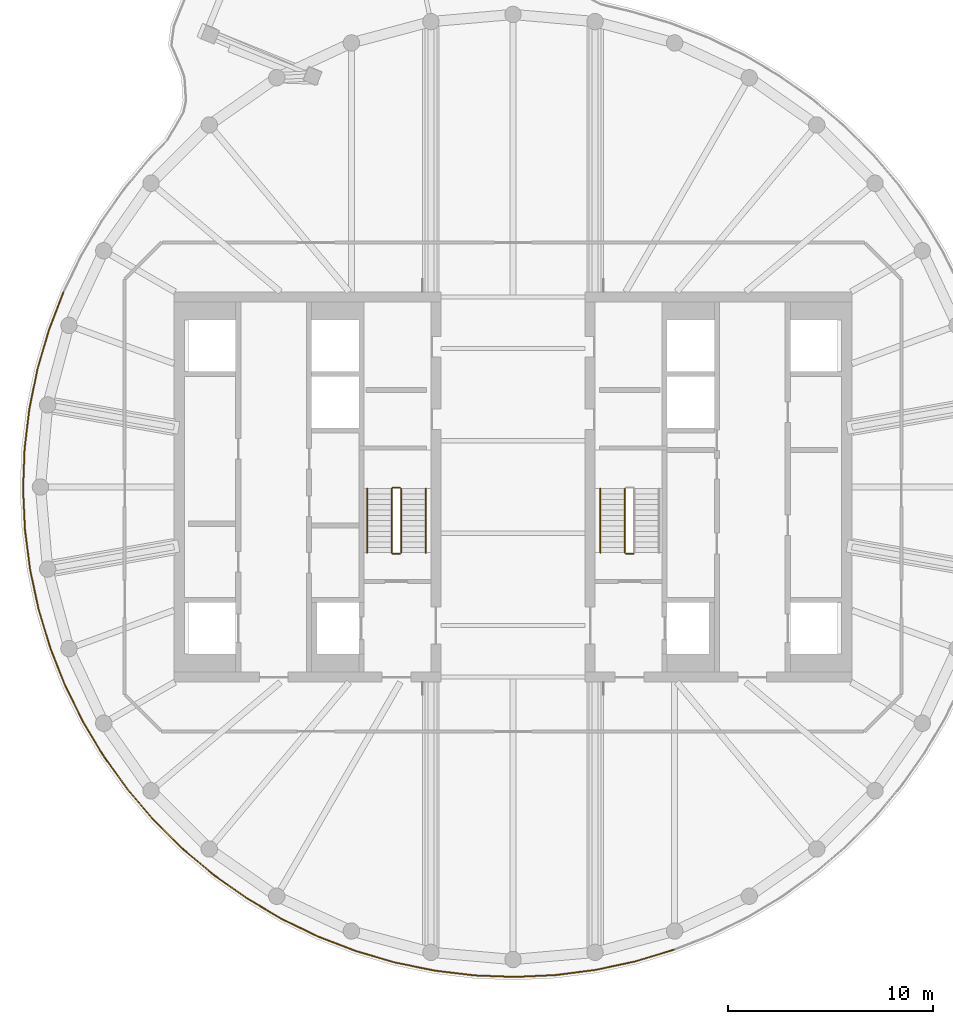
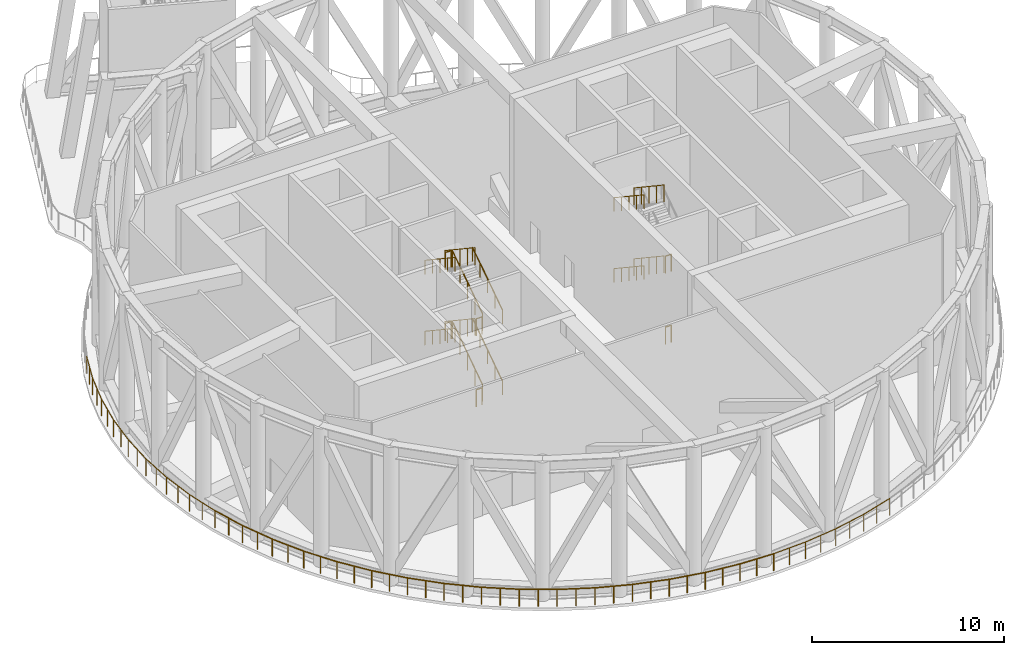
# One storey, part 7 of 10: 25 railings.
"""IFC4 building model written with IfcOpenShell, lengths in metres."""

from ifc_helpers import new_model, si_unit, direction, frame, origin, origin_2d, place, context, subcontext, project, spatial, circle, extrude, material, type_object, element, save


model = new_model("IFC4")

# Units and contexts
model_context = context("Model", 3, precision=1e-05, world=origin(), true_north=direction((0.0, 1.0)))
body_context = subcontext(model_context, "Body", "Model", "MODEL_VIEW")
ifc_project = project(units=[si_unit("LENGTHUNIT", "METRE"), si_unit("AREAUNIT", "SQUARE_METRE"), si_unit("VOLUMEUNIT", "CUBIC_METRE"), si_unit("PLANEANGLEUNIT", "RADIAN"), si_unit("MASSUNIT", "GRAM", prefix="KILO")], contexts=[model_context])

# Site, building, storey
site_placement = place(None, origin())
site = spatial("IfcSite", under=ifc_project, at=site_placement, CompositionType="ELEMENT")
building_placement = place(site_placement, origin())
building = spatial("IfcBuilding", under=site, at=building_placement, Name="Tamarind Cross Interchange Tower", CompositionType="ELEMENT")
storey_placement = place(building_placement, frame((0.0, 0.0, 278.39990234375)))
storey = spatial("IfcBuildingStorey", under=building, at=storey_placement, Name="L71", CompositionType="ELEMENT", Elevation=278.39990234375)

# Railings
ifc_material_1 = material(Name="Stainless steel and laminated glass", Category="steel")
railing_type_1 = type_object("IfcRailingType", Name="Balcony guard", PredefinedType="BALUSTRADE", material=ifc_material_1)
railing_1_placement = place(storey_placement, frame((-21.87841796875, 9.484619140625, 0.0)))
element("IfcRailing", 1, at=railing_1_placement, inside=storey, type_object=railing_type_1, Name="Portal guard 01-02", PredefinedType="BALUSTRADE", context=body_context, shape_type="SweptSolid", body=[
    extrude(circle(Radius=0.02490234375, at=origin_2d()), frame((0.0, 0.0, 1.0751953125), z_axis=(-0.359485381692, -0.933150716846, 0.0), x_axis=(0.933150716846, -0.359485381692, 0.0)), (0.0, 0.0, 1.0), 1.970947265625),
    extrude(circle(Radius=0.02490234375, at=origin_2d()), frame((-0.70849609375, -1.839111328125, 1.0751953125), z_axis=(-0.28119372955, -0.959651023269, 0.0), x_axis=(0.959651023269, -0.28119372955, 0.0)), (0.0, 0.0, 1.0), 1.970947265625),
    extrude(circle(Radius=0.02490234375, at=origin_2d()), frame((-1.2626953125, -3.73046875, 1.0751953125), z_axis=(-0.201069123681, -0.979577055418, 0.0), x_axis=(0.979577055418, -0.201069123681, 0.0)), (0.0, 0.0, 1.0), 1.970703125),
    extrude(circle(Radius=0.02490234375, at=origin_2d()), frame((-1.658935546875, -5.660888671875, 1.0751953125), z_axis=(-0.119413868936, -0.992844563819, 0.0), x_axis=(0.992844563819, -0.119413868936, 0.0)), (0.0, 0.0, 1.0), 1.970947265625),
    extrude(circle(Radius=0.02001953125, at=origin_2d()), origin(), (0.0, 0.0, 1.0), 1.050048828125),
    extrude(circle(Radius=0.02001953125, at=origin_2d()), frame((-0.354248046875, -0.91943359375, 0.0)), (0.0, 0.0, 1.0), 1.050048828125),
    extrude(circle(Radius=0.02001953125, at=origin_2d()), frame((-0.70849609375, -1.839111328125, 0.0)), (0.0, 0.0, 1.0), 1.050048828125),
    extrude(circle(Radius=0.02001953125, at=origin_2d()), frame((-0.985595703125, -2.78466796875, 0.0)), (0.0, 0.0, 1.0), 1.050048828125),
    extrude(circle(Radius=0.02001953125, at=origin_2d()), frame((-1.2626953125, -3.73046875, 0.0)), (0.0, 0.0, 1.0), 1.050048828125),
    extrude(circle(Radius=0.02001953125, at=origin_2d()), frame((-1.4609375, -4.69580078125, 0.0)), (0.0, 0.0, 1.0), 1.050048828125),
    extrude(circle(Radius=0.02001953125, at=origin_2d()), frame((-1.658935546875, -5.660888671875, 0.0)), (0.0, 0.0, 1.0), 1.050048828125),
    extrude(circle(Radius=0.02001953125, at=origin_2d()), frame((-1.776611328125, -6.63916015625, 0.0)), (0.0, 0.0, 1.0), 1.050048828125),
    extrude(circle(Radius=0.02001953125, at=origin_2d()), frame((-1.894287109375, -7.61767578125, 0.0)), (0.0, 0.0, 1.0), 1.050048828125),
])
railing_2_placement = place(storey_placement, frame((-23.772705078125, 1.866943359375, 0.0)))
element("IfcRailing", 2, at=railing_2_placement, inside=storey, type_object=railing_type_1, Name="Portal guard 01-03", PredefinedType="BALUSTRADE", context=body_context, shape_type="SweptSolid", body=[
    extrude(circle(Radius=0.02490234375, at=origin_2d()), frame((0.0, 0.0, 1.0751953125), z_axis=(-0.037039150955, -0.999313815224, 0.0), x_axis=(0.999313815224, -0.037039150955, 0.0)), (0.0, 0.0, 1.0), 1.970947265625),
    extrude(circle(Radius=0.02490234375, at=origin_2d()), frame((-0.072998046875, -1.969482421875, 1.0751953125), z_axis=(0.045705440836, -0.998954960285, 0.0), x_axis=(0.998954960285, 0.045705440836, 0.0)), (0.0, 0.0, 1.0), 1.970947265625),
    extrude(circle(Radius=0.02490234375, at=origin_2d()), frame((0.01708984375, -3.9384765625, 1.0751953125), z_axis=(0.127967406963, -0.991778373809, 0.0), x_axis=(0.991778373809, 0.127967406963, 0.0)), (0.0, 0.0, 1.0), 1.970703125),
    extrude(circle(Radius=0.02490234375, at=origin_2d()), frame((0.269287109375, -5.89306640625, 1.0751953125), z_axis=(0.209368335496, -0.977836847379, 0.0), x_axis=(0.977836847379, 0.209368335496, 0.0)), (0.0, 0.0, 1.0), 1.970703125),
    extrude(circle(Radius=0.02001953125, at=origin_2d()), origin(), (0.0, 0.0, 1.0), 1.050048828125),
    extrude(circle(Radius=0.02001953125, at=origin_2d()), frame((-0.03662109375, -0.98486328125, 0.0)), (0.0, 0.0, 1.0), 1.050048828125),
    extrude(circle(Radius=0.02001953125, at=origin_2d()), frame((-0.072998046875, -1.969482421875, 0.0)), (0.0, 0.0, 1.0), 1.050048828125),
    extrude(circle(Radius=0.02001953125, at=origin_2d()), frame((-0.02783203125, -2.9541015625, 0.0)), (0.0, 0.0, 1.0), 1.050048828125),
    extrude(circle(Radius=0.02001953125, at=origin_2d()), frame((0.01708984375, -3.9384765625, 0.0)), (0.0, 0.0, 1.0), 1.050048828125),
    extrude(circle(Radius=0.02001953125, at=origin_2d()), frame((0.14306640625, -4.915771484375, 0.0)), (0.0, 0.0, 1.0), 1.050048828125),
    extrude(circle(Radius=0.02001953125, at=origin_2d()), frame((0.269287109375, -5.89306640625, 0.0)), (0.0, 0.0, 1.0), 1.050048828125),
    extrude(circle(Radius=0.02001953125, at=origin_2d()), frame((0.4755859375, -6.8564453125, 0.0)), (0.0, 0.0, 1.0), 1.050048828125),
    extrude(circle(Radius=0.02001953125, at=origin_2d()), frame((0.681884765625, -7.820068359375, 0.0)), (0.0, 0.0, 1.0), 1.050048828125),
])
railing_3_placement = place(storey_placement, frame((-23.0908203125, -5.953125, 0.0)))
element("IfcRailing", 3, at=railing_3_placement, inside=storey, type_object=railing_type_1, Name="Portal guard 01-04", PredefinedType="BALUSTRADE", context=body_context, shape_type="SweptSolid", body=[
    extrude(circle(Radius=0.02490234375, at=origin_2d()), frame((0.0, 0.0, 1.0751953125), z_axis=(0.289495081486, -0.957179501345, 0.0), x_axis=(0.957179501345, 0.289495081486, 0.0)), (0.0, 0.0, 1.0), 1.970947265625),
    extrude(circle(Radius=0.02490234375, at=origin_2d()), frame((0.570556640625, -1.886474609375, 1.0751953125), z_axis=(0.367521863766, -0.930014881415, 0.0), x_axis=(0.930014881415, 0.367521863766, 0.0)), (0.0, 0.0, 1.0), 1.970947265625),
    extrude(circle(Radius=0.02490234375, at=origin_2d()), frame((1.294921875, -3.719482421875, 1.0751953125), z_axis=(0.442996699575, -0.896523242401, 0.0), x_axis=(0.896523242401, 0.442996699575, 0.0)), (0.0, 0.0, 1.0), 1.970703125),
    extrude(circle(Radius=0.02490234375, at=origin_2d()), frame((2.16796875, -5.486328125, 1.0751953125), z_axis=(0.515661093256, -0.85679264522, 0.0), x_axis=(0.85679264522, 0.515661093256, 0.0)), (0.0, 0.0, 1.0), 1.970947265625),
    extrude(circle(Radius=0.02001953125, at=origin_2d()), origin(), (0.0, 0.0, 1.0), 1.050048828125),
    extrude(circle(Radius=0.02001953125, at=origin_2d()), frame((0.28515625, -0.943359375, 0.0)), (0.0, 0.0, 1.0), 1.050048828125),
    extrude(circle(Radius=0.02001953125, at=origin_2d()), frame((0.570556640625, -1.886474609375, 0.0)), (0.0, 0.0, 1.0), 1.050048828125),
    extrude(circle(Radius=0.02001953125, at=origin_2d()), frame((0.9326171875, -2.802978515625, 0.0)), (0.0, 0.0, 1.0), 1.050048828125),
    extrude(circle(Radius=0.02001953125, at=origin_2d()), frame((1.294921875, -3.719482421875, 0.0)), (0.0, 0.0, 1.0), 1.050048828125),
    extrude(circle(Radius=0.02001953125, at=origin_2d()), frame((1.7314453125, -4.60302734375, 0.0)), (0.0, 0.0, 1.0), 1.050048828125),
    extrude(circle(Radius=0.02001953125, at=origin_2d()), frame((2.16796875, -5.486328125, 0.0)), (0.0, 0.0, 1.0), 1.050048828125),
    extrude(circle(Radius=0.02001953125, at=origin_2d()), frame((2.67626953125, -6.33056640625, 0.0)), (0.0, 0.0, 1.0), 1.050048828125),
    extrude(circle(Radius=0.02001953125, at=origin_2d()), frame((3.184326171875, -7.175048828125, 0.0)), (0.0, 0.0, 1.0), 1.050048828125),
])
railing_4_placement = place(storey_placement, frame((-19.906494140625, -13.128173828125, 0.0)))
element("IfcRailing", 4, at=railing_4_placement, inside=storey, type_object=railing_type_1, Name="Portal guard 01-05", PredefinedType="BALUSTRADE", context=body_context, shape_type="SweptSolid", body=[
    extrude(circle(Radius=0.02490234375, at=origin_2d()), frame((0.0, 0.0, 1.0751953125), z_axis=(0.584549440049, -0.811358091189, 0.0), x_axis=(0.811358091189, 0.584549440049, 0.0)), (0.0, 0.0, 1.0), 1.970947265625),
    extrude(circle(Radius=0.02490234375, at=origin_2d()), frame((1.152099609375, -1.59912109375, 1.0751953125), z_axis=(0.649555984411, -0.760313766228, 0.0), x_axis=(0.760313766228, 0.649555984411, 0.0)), (0.0, 0.0, 1.0), 1.970703125),
    extrude(circle(Radius=0.02490234375, at=origin_2d()), frame((2.43212890625, -3.097412109375, 1.0751953125), z_axis=(0.710135033947, -0.704065503743, 0.0), x_axis=(0.704065503743, 0.710135033947, 0.0)), (0.0, 0.0, 1.0), 1.970947265625),
    extrude(circle(Radius=0.02490234375, at=origin_2d()), frame((3.831787109375, -4.485107421875, 1.0751953125), z_axis=(0.765870770203, -0.642994528242, 0.0), x_axis=(0.642994528242, 0.765870770203, 0.0)), (0.0, 0.0, 1.0), 1.970947265625),
    extrude(circle(Radius=0.02001953125, at=origin_2d()), origin(), (0.0, 0.0, 1.0), 1.050048828125),
    extrude(circle(Radius=0.02001953125, at=origin_2d()), frame((0.576171875, -0.799560546875, 0.0)), (0.0, 0.0, 1.0), 1.050048828125),
    extrude(circle(Radius=0.02001953125, at=origin_2d()), frame((1.152099609375, -1.59912109375, 0.0)), (0.0, 0.0, 1.0), 1.050048828125),
    extrude(circle(Radius=0.02001953125, at=origin_2d()), frame((1.7919921875, -2.34814453125, 0.0)), (0.0, 0.0, 1.0), 1.050048828125),
    extrude(circle(Radius=0.02001953125, at=origin_2d()), frame((2.43212890625, -3.097412109375, 0.0)), (0.0, 0.0, 1.0), 1.050048828125),
    extrude(circle(Radius=0.02001953125, at=origin_2d()), frame((3.1318359375, -3.791259765625, 0.0)), (0.0, 0.0, 1.0), 1.050048828125),
    extrude(circle(Radius=0.02001953125, at=origin_2d()), frame((3.831787109375, -4.485107421875, 0.0)), (0.0, 0.0, 1.0), 1.050048828125),
    extrude(circle(Radius=0.02001953125, at=origin_2d()), frame((4.58642578125, -5.11865234375, 0.0)), (0.0, 0.0, 1.0), 1.050048828125),
    extrude(circle(Radius=0.02001953125, at=origin_2d()), frame((5.34130859375, -5.75244140625, 0.0)), (0.0, 0.0, 1.0), 1.050048828125),
])
railing_5_placement = place(storey_placement, frame((-14.565185546875, -18.880615234375, 0.0)))
element("IfcRailing", 5, at=railing_5_placement, inside=storey, type_object=railing_type_1, Name="Portal guard 01-06", PredefinedType="BALUSTRADE", context=body_context, shape_type="SweptSolid", body=[
    extrude(circle(Radius=0.02490234375, at=origin_2d()), frame((0.0, 0.0, 1.0751953125), z_axis=(0.816370053791, -0.577529164002, 0.0), x_axis=(0.577529164002, 0.816370053791, 0.0)), (0.0, 0.0, 1.0), 1.970703125),
    extrude(circle(Radius=0.02490234375, at=origin_2d()), frame((1.60888671875, -1.13818359375, 1.0751953125), z_axis=(0.861197684667, -0.508270152501, 0.0), x_axis=(0.508270152501, 0.861197684667, 0.0)), (0.0, 0.0, 1.0), 1.970703125),
    extrude(circle(Radius=0.02490234375, at=origin_2d()), frame((3.30615234375, -2.139892578125, 1.0751953125), z_axis=(0.900293941489, -0.435282458777, 0.0), x_axis=(0.435282458777, 0.900293941489, 0.0)), (0.0, 0.0, 1.0), 1.970947265625),
    extrude(circle(Radius=0.02490234375, at=origin_2d()), frame((5.08056640625, -2.997802734375, 1.0751953125), z_axis=(0.933150716846, -0.359485381692, 0.0), x_axis=(0.359485381692, 0.933150716846, 0.0)), (0.0, 0.0, 1.0), 1.970947265625),
    extrude(circle(Radius=0.02001953125, at=origin_2d()), origin(), (0.0, 0.0, 1.0), 1.050048828125),
    extrude(circle(Radius=0.02001953125, at=origin_2d()), frame((0.804443359375, -0.569091796875, 0.0)), (0.0, 0.0, 1.0), 1.050048828125),
    extrude(circle(Radius=0.02001953125, at=origin_2d()), frame((1.60888671875, -1.13818359375, 0.0)), (0.0, 0.0, 1.0), 1.050048828125),
    extrude(circle(Radius=0.02001953125, at=origin_2d()), frame((2.45751953125, -1.63916015625, 0.0)), (0.0, 0.0, 1.0), 1.050048828125),
    extrude(circle(Radius=0.02001953125, at=origin_2d()), frame((3.30615234375, -2.139892578125, 0.0)), (0.0, 0.0, 1.0), 1.050048828125),
    extrude(circle(Radius=0.02001953125, at=origin_2d()), frame((4.193359375, -2.56884765625, 0.0)), (0.0, 0.0, 1.0), 1.050048828125),
    extrude(circle(Radius=0.02001953125, at=origin_2d()), frame((5.08056640625, -2.997802734375, 0.0)), (0.0, 0.0, 1.0), 1.050048828125),
    extrude(circle(Radius=0.02001953125, at=origin_2d()), frame((6.0, -3.35205078125, 0.0)), (0.0, 0.0, 1.0), 1.050048828125),
    extrude(circle(Radius=0.02001953125, at=origin_2d()), frame((6.919677734375, -3.706298828125, 0.0)), (0.0, 0.0, 1.0), 1.050048828125),
])
railing_6_placement = place(storey_placement, frame((-7.6455078125, -22.5869140625, 0.0)))
element("IfcRailing", 6, at=railing_6_placement, inside=storey, type_object=railing_type_1, Name="Portal guard 01-07", PredefinedType="BALUSTRADE", context=body_context, shape_type="SweptSolid", body=[
    extrude(circle(Radius=0.02490234375, at=origin_2d()), frame((0.0, 0.0, 1.0751953125), z_axis=(0.959651023269, -0.28119372955, 0.0), x_axis=(0.28119372955, 0.959651023269, 0.0)), (0.0, 0.0, 1.0), 1.970947265625),
    extrude(circle(Radius=0.02490234375, at=origin_2d()), frame((1.891357421875, -0.55419921875, 1.0751953125), z_axis=(0.979577055418, -0.201069123681, 0.0), x_axis=(0.201069123681, 0.979577055418, 0.0)), (0.0, 0.0, 1.0), 1.970703125),
    extrude(circle(Radius=0.02490234375, at=origin_2d()), frame((3.82177734375, -0.950439453125, 1.0751953125), z_axis=(0.992844563819, -0.119413868936, 0.0), x_axis=(0.119413868936, 0.992844563819, 0.0)), (0.0, 0.0, 1.0), 1.970947265625),
    extrude(circle(Radius=0.02490234375, at=origin_2d()), frame((5.778564453125, -1.185791015625, 1.0751953125), z_axis=(0.999313815224, -0.037039150955, 0.0), x_axis=(0.037039150955, 0.999313815224, 0.0)), (0.0, 0.0, 1.0), 1.970947265625),
    extrude(circle(Radius=0.02001953125, at=origin_2d()), origin(), (0.0, 0.0, 1.0), 1.050048828125),
    extrude(circle(Radius=0.02001953125, at=origin_2d()), frame((0.94580078125, -0.277099609375, 0.0)), (0.0, 0.0, 1.0), 1.050048828125),
    extrude(circle(Radius=0.02001953125, at=origin_2d()), frame((1.891357421875, -0.55419921875, 0.0)), (0.0, 0.0, 1.0), 1.050048828125),
    extrude(circle(Radius=0.02001953125, at=origin_2d()), frame((2.8564453125, -0.75244140625, 0.0)), (0.0, 0.0, 1.0), 1.050048828125),
    extrude(circle(Radius=0.02001953125, at=origin_2d()), frame((3.82177734375, -0.950439453125, 0.0)), (0.0, 0.0, 1.0), 1.050048828125),
    extrude(circle(Radius=0.02001953125, at=origin_2d()), frame((4.80029296875, -1.068115234375, 0.0)), (0.0, 0.0, 1.0), 1.050048828125),
    extrude(circle(Radius=0.02001953125, at=origin_2d()), frame((5.778564453125, -1.185791015625, 0.0)), (0.0, 0.0, 1.0), 1.050048828125),
    extrude(circle(Radius=0.02001953125, at=origin_2d()), frame((6.76318359375, -1.22216796875, 0.0)), (0.0, 0.0, 1.0), 1.050048828125),
    extrude(circle(Radius=0.02001953125, at=origin_2d()), frame((7.748046875, -1.2587890625, 0.0)), (0.0, 0.0, 1.0), 1.050048828125),
])
railing_7_placement = place(storey_placement, frame((0.1025390625, -23.845703125, 0.0)))
element("IfcRailing", 7, at=railing_7_placement, inside=storey, type_object=railing_type_1, Name="Portal guard 01-08", PredefinedType="BALUSTRADE", context=body_context, shape_type="SweptSolid", body=[
    extrude(circle(Radius=0.02490234375, at=origin_2d()), frame((0.0, 0.0, 1.0751953125), z_axis=(0.998954960285, 0.045705440836, 0.0), x_axis=(-0.045705440836, 0.998954960285, 0.0)), (0.0, 0.0, 1.0), 1.970947265625),
    extrude(circle(Radius=0.02490234375, at=origin_2d()), frame((1.968994140625, 0.090087890625, 1.0751953125), z_axis=(0.991778373809, 0.127967406963, 0.0), x_axis=(-0.127967406963, 0.991778373809, 0.0)), (0.0, 0.0, 1.0), 1.970703125),
    extrude(circle(Radius=0.02490234375, at=origin_2d()), frame((3.923583984375, 0.34228515625, 1.0751953125), z_axis=(0.977836847379, 0.209368335496, 0.0), x_axis=(-0.209368335496, 0.977836847379, 0.0)), (0.0, 0.0, 1.0), 1.970703125),
    extrude(circle(Radius=0.02490234375, at=origin_2d()), frame((5.8505859375, 0.7548828125, 1.0751953125), z_axis=(0.957179501345, 0.289495081486, 0.0), x_axis=(-0.289495081486, 0.957179501345, 0.0)), (0.0, 0.0, 1.0), 1.970947265625),
    extrude(circle(Radius=0.02001953125, at=origin_2d()), origin(), (0.0, 0.0, 1.0), 1.050048828125),
    extrude(circle(Radius=0.02001953125, at=origin_2d()), frame((0.984375, 0.044921875, 0.0)), (0.0, 0.0, 1.0), 1.050048828125),
    extrude(circle(Radius=0.02001953125, at=origin_2d()), frame((1.968994140625, 0.090087890625, 0.0)), (0.0, 0.0, 1.0), 1.050048828125),
    extrude(circle(Radius=0.02001953125, at=origin_2d()), frame((2.9462890625, 0.21630859375, 0.0)), (0.0, 0.0, 1.0), 1.050048828125),
    extrude(circle(Radius=0.02001953125, at=origin_2d()), frame((3.923583984375, 0.34228515625, 0.0)), (0.0, 0.0, 1.0), 1.050048828125),
    extrude(circle(Radius=0.02001953125, at=origin_2d()), frame((4.88720703125, 0.548583984375, 0.0)), (0.0, 0.0, 1.0), 1.050048828125),
    extrude(circle(Radius=0.02001953125, at=origin_2d()), frame((5.8505859375, 0.7548828125, 0.0)), (0.0, 0.0, 1.0), 1.050048828125),
    extrude(circle(Radius=0.02001953125, at=origin_2d()), frame((6.7939453125, 1.0400390625, 0.0)), (0.0, 0.0, 1.0), 1.050048828125),
    extrude(circle(Radius=0.02001953125, at=origin_2d()), frame((7.737060546875, 1.325439453125, 0.0)), (0.0, 0.0, 1.0), 1.050048828125),
])
ifc_material_2 = material(Name="Stair guard")
railing_type_2 = type_object("IfcRailingType", Name="Stair guard", PredefinedType="GUARDRAIL", material=ifc_material_2)
railing_8_placement = place(storey_placement, frame((-5.449951171875, -3.199951171875, 0.173095703125)))
element("IfcRailing", 8, at=railing_8_placement, inside=storey, type_object=railing_type_2, Name="L71 ST1 stair guard 1", PredefinedType="GUARDRAIL", context=body_context, shape_type="SweptSolid", body=[
    extrude(circle(Radius=0.02392578125, at=origin_2d()), frame((0.0, 0.0, 1.076171875), z_axis=(0.0, 0.832420903958, 0.554143879018), x_axis=(-1.0, 0.0, 0.0)), (0.0, 0.0, 1.0), 3.748046875),
    extrude(circle(Radius=0.02099609375, at=origin_2d()), origin(), (0.0, 0.0, 1.0), 1.052001953125),
    extrude(circle(Radius=0.02099609375, at=origin_2d()), frame((0.0, 0.780029296875, 0.519287109375)), (0.0, 0.0, 1.0), 1.052001953125),
    extrude(circle(Radius=0.02099609375, at=origin_2d()), frame((0.0, 1.56005859375, 1.03857421875)), (0.0, 0.0, 1.0), 1.052001953125),
    extrude(circle(Radius=0.02099609375, at=origin_2d()), frame((0.0, 2.33984375, 1.5576171875)), (0.0, 0.0, 1.0), 1.052001953125),
    extrude(circle(Radius=0.02099609375, at=origin_2d()), frame((0.0, 3.119873046875, 2.076904296875)), (0.0, 0.0, 1.0), 1.052001953125),
])
railing_9_placement = place(storey_placement, frame((-5.5, -0.030029296875, 2.25)))
element("IfcRailing", 9, at=railing_9_placement, inside=storey, type_object=railing_type_2, Name="L71 ST1 stair guard 2", PredefinedType="GUARDRAIL", context=body_context, shape_type="SweptSolid", body=[
    extrude(circle(Radius=0.02392578125, at=origin_2d()), frame((0.0, 0.0, 1.076171875), z_axis=(-1.0, 0.0, 0.0), x_axis=(0.0, -1.0, 0.0)), (0.0, 0.0, 1.0), 0.35009765625),
    extrude(circle(Radius=0.02099609375, at=origin_2d()), origin(), (0.0, 0.0, 1.0), 1.052001953125),
    extrude(circle(Radius=0.02099609375, at=origin_2d()), frame((-0.35009765625, 0.0, 0.0)), (0.0, 0.0, 1.0), 1.052001953125),
])
railing_10_placement = place(storey_placement, frame((-5.89990234375, -0.080078125, 2.423095703125)))
element("IfcRailing", 10, at=railing_10_placement, inside=storey, type_object=railing_type_2, Name="L71 ST1 stair guard 3", PredefinedType="GUARDRAIL", context=body_context, shape_type="SweptSolid", body=[
    extrude(circle(Radius=0.02392578125, at=origin_2d()), frame((0.0, 0.0, 1.076171875), z_axis=(0.0, -0.832420903958, 0.554143879018), x_axis=(1.0, 0.0, 0.0)), (0.0, 0.0, 1.0), 3.748046875),
    extrude(circle(Radius=0.02099609375, at=origin_2d()), origin(), (0.0, 0.0, 1.0), 1.052001953125),
    extrude(circle(Radius=0.02099609375, at=origin_2d()), frame((0.0, -0.780029296875, 0.519287109375)), (0.0, 0.0, 1.0), 1.052001953125),
    extrude(circle(Radius=0.02099609375, at=origin_2d()), frame((0.0, -1.56005859375, 1.03857421875)), (0.0, 0.0, 1.0), 1.052001953125),
    extrude(circle(Radius=0.02099609375, at=origin_2d()), frame((0.0, -2.33984375, 1.5576171875)), (0.0, 0.0, 1.0), 1.052001953125),
    extrude(circle(Radius=0.02099609375, at=origin_2d()), frame((0.0, -3.119873046875, 2.076904296875)), (0.0, 0.0, 1.0), 1.052001953125),
])
railing_11_placement = place(storey_placement, frame((-5.5, -3.25, 4.5)))
element("IfcRailing", 11, at=railing_11_placement, inside=storey, type_object=railing_type_2, Name="L71 ST1 stair guard 4", PredefinedType="GUARDRAIL", context=body_context, shape_type="SweptSolid", body=[
    extrude(circle(Radius=0.02392578125, at=origin_2d()), frame((0.0, 0.0, 1.076171875), z_axis=(-1.0, 0.0, 0.0), x_axis=(0.0, -1.0, 0.0)), (0.0, 0.0, 1.0), 0.35009765625),
    extrude(circle(Radius=0.02099609375, at=origin_2d()), origin(), (0.0, 0.0, 1.0), 1.052001953125),
    extrude(circle(Radius=0.02099609375, at=origin_2d()), frame((-0.35009765625, 0.0, 0.0)), (0.0, 0.0, 1.0), 1.052001953125),
])
railing_12_placement = place(storey_placement, frame((-5.449951171875, -3.199951171875, 4.673095703125)))
element("IfcRailing", 12, at=railing_12_placement, inside=storey, type_object=railing_type_2, Name="L71 ST1 stair guard 5", PredefinedType="GUARDRAIL", context=body_context, shape_type="SweptSolid", body=[
    extrude(circle(Radius=0.02392578125, at=origin_2d()), frame((0.0, 0.0, 1.076171875), z_axis=(0.0, 0.832420903958, 0.554143879018), x_axis=(-1.0, 0.0, 0.0)), (0.0, 0.0, 1.0), 3.748046875),
    extrude(circle(Radius=0.02099609375, at=origin_2d()), origin(), (0.0, 0.0, 1.0), 1.052001953125),
    extrude(circle(Radius=0.02099609375, at=origin_2d()), frame((0.0, 0.780029296875, 0.519287109375)), (0.0, 0.0, 1.0), 1.052001953125),
    extrude(circle(Radius=0.02099609375, at=origin_2d()), frame((0.0, 1.56005859375, 1.03857421875)), (0.0, 0.0, 1.0), 1.052001953125),
    extrude(circle(Radius=0.02099609375, at=origin_2d()), frame((0.0, 2.33984375, 1.5576171875)), (0.0, 0.0, 1.0), 1.052001953125),
    extrude(circle(Radius=0.02099609375, at=origin_2d()), frame((0.0, 3.119873046875, 2.076904296875)), (0.0, 0.0, 1.0), 1.052001953125),
])
railing_13_placement = place(storey_placement, frame((-5.5, -0.030029296875, 6.75)))
element("IfcRailing", 13, at=railing_13_placement, inside=storey, type_object=railing_type_2, Name="L71 ST1 stair guard 6", PredefinedType="GUARDRAIL", context=body_context, shape_type="SweptSolid", body=[
    extrude(circle(Radius=0.02392578125, at=origin_2d()), frame((0.0, 0.0, 1.076171875), z_axis=(-1.0, 0.0, 0.0), x_axis=(0.0, -1.0, 0.0)), (0.0, 0.0, 1.0), 0.35009765625),
    extrude(circle(Radius=0.02099609375, at=origin_2d()), origin(), (0.0, 0.0, 1.0), 1.052001953125),
    extrude(circle(Radius=0.02099609375, at=origin_2d()), frame((-0.35009765625, 0.0, 0.0)), (0.0, 0.0, 1.0), 1.052001953125),
])
railing_14_placement = place(storey_placement, frame((-5.89990234375, -0.080078125, 6.923095703125)))
element("IfcRailing", 14, at=railing_14_placement, inside=storey, type_object=railing_type_2, Name="L71 ST1 stair guard 7", PredefinedType="GUARDRAIL", context=body_context, shape_type="SweptSolid", body=[
    extrude(circle(Radius=0.02392578125, at=origin_2d()), frame((0.0, 0.0, 1.076171875), z_axis=(0.0, -0.832420903958, 0.554143879018), x_axis=(1.0, 0.0, 0.0)), (0.0, 0.0, 1.0), 3.748046875),
    extrude(circle(Radius=0.02099609375, at=origin_2d()), origin(), (0.0, 0.0, 1.0), 1.052001953125),
    extrude(circle(Radius=0.02099609375, at=origin_2d()), frame((0.0, -0.780029296875, 0.519287109375)), (0.0, 0.0, 1.0), 1.052001953125),
    extrude(circle(Radius=0.02099609375, at=origin_2d()), frame((0.0, -1.56005859375, 1.03857421875)), (0.0, 0.0, 1.0), 1.052001953125),
    extrude(circle(Radius=0.02099609375, at=origin_2d()), frame((0.0, -2.33984375, 1.5576171875)), (0.0, 0.0, 1.0), 1.052001953125),
    extrude(circle(Radius=0.02099609375, at=origin_2d()), frame((0.0, -3.119873046875, 2.076904296875)), (0.0, 0.0, 1.0), 1.052001953125),
])
railing_15_placement = place(storey_placement, frame((-5.5, -3.25, 0.0)))
element("IfcRailing", 15, at=railing_15_placement, inside=storey, type_object=railing_type_2, Name="L71 ST1 stair guard 8", PredefinedType="GUARDRAIL", context=body_context, shape_type="SweptSolid", body=[
    extrude(circle(Radius=0.02392578125, at=origin_2d()), frame((0.0, 0.0, 1.076171875), z_axis=(-1.0, 0.0, 0.0), x_axis=(0.0, -1.0, 0.0)), (0.0, 0.0, 1.0), 0.35009765625),
    extrude(circle(Radius=0.02099609375, at=origin_2d()), origin(), (0.0, 0.0, 1.0), 1.052001953125),
    extrude(circle(Radius=0.02099609375, at=origin_2d()), frame((-0.35009765625, 0.0, 0.0)), (0.0, 0.0, 1.0), 1.052001953125),
])
railing_16_placement = place(storey_placement, frame((5.449951171875, -0.080078125, 2.423095703125)))
element("IfcRailing", 16, at=railing_16_placement, inside=storey, type_object=railing_type_2, Name="L71 ST2 stair guard 3", PredefinedType="GUARDRAIL", context=body_context, shape_type="SweptSolid", body=[
    extrude(circle(Radius=0.02392578125, at=origin_2d()), frame((0.0, 0.0, 1.076171875), z_axis=(0.0, -0.832420903958, 0.554143879018), x_axis=(1.0, 0.0, 0.0)), (0.0, 0.0, 1.0), 3.748046875),
    extrude(circle(Radius=0.02099609375, at=origin_2d()), origin(), (0.0, 0.0, 1.0), 1.052001953125),
    extrude(circle(Radius=0.02099609375, at=origin_2d()), frame((0.0, -0.780029296875, 0.519287109375)), (0.0, 0.0, 1.0), 1.052001953125),
    extrude(circle(Radius=0.02099609375, at=origin_2d()), frame((0.0, -1.56005859375, 1.03857421875)), (0.0, 0.0, 1.0), 1.052001953125),
    extrude(circle(Radius=0.02099609375, at=origin_2d()), frame((0.0, -2.33984375, 1.5576171875)), (0.0, 0.0, 1.0), 1.052001953125),
    extrude(circle(Radius=0.02099609375, at=origin_2d()), frame((0.0, -3.119873046875, 2.076904296875)), (0.0, 0.0, 1.0), 1.052001953125),
])
railing_17_placement = place(storey_placement, frame((5.85009765625, -3.25, 4.5)))
element("IfcRailing", 17, at=railing_17_placement, inside=storey, type_object=railing_type_2, Name="L71 ST2 stair guard 4", PredefinedType="GUARDRAIL", context=body_context, shape_type="SweptSolid", body=[
    extrude(circle(Radius=0.02392578125, at=origin_2d()), frame((0.0, 0.0, 1.076171875), z_axis=(-1.0, 0.0, 0.0), x_axis=(0.0, -1.0, 0.0)), (0.0, 0.0, 1.0), 0.35009765625),
    extrude(circle(Radius=0.02099609375, at=origin_2d()), origin(), (0.0, 0.0, 1.0), 1.052001953125),
    extrude(circle(Radius=0.02099609375, at=origin_2d()), frame((-0.35009765625, 0.0, 0.0)), (0.0, 0.0, 1.0), 1.052001953125),
])
railing_18_placement = place(storey_placement, frame((5.449951171875, -0.080078125, 6.923095703125)))
element("IfcRailing", 18, at=railing_18_placement, inside=storey, type_object=railing_type_2, Name="L71 ST2 stair guard 7", PredefinedType="GUARDRAIL", context=body_context, shape_type="SweptSolid", body=[
    extrude(circle(Radius=0.02392578125, at=origin_2d()), frame((0.0, 0.0, 1.076171875), z_axis=(0.0, -0.832420903958, 0.554143879018), x_axis=(1.0, 0.0, 0.0)), (0.0, 0.0, 1.0), 3.748046875),
    extrude(circle(Radius=0.02099609375, at=origin_2d()), origin(), (0.0, 0.0, 1.0), 1.052001953125),
    extrude(circle(Radius=0.02099609375, at=origin_2d()), frame((0.0, -0.780029296875, 0.519287109375)), (0.0, 0.0, 1.0), 1.052001953125),
    extrude(circle(Radius=0.02099609375, at=origin_2d()), frame((0.0, -1.56005859375, 1.03857421875)), (0.0, 0.0, 1.0), 1.052001953125),
    extrude(circle(Radius=0.02099609375, at=origin_2d()), frame((0.0, -2.33984375, 1.5576171875)), (0.0, 0.0, 1.0), 1.052001953125),
    extrude(circle(Radius=0.02099609375, at=origin_2d()), frame((0.0, -3.119873046875, 2.076904296875)), (0.0, 0.0, 1.0), 1.052001953125),
])
railing_19_placement = place(storey_placement, frame((5.85009765625, -3.25, 0.0)))
element("IfcRailing", 19, at=railing_19_placement, inside=storey, type_object=railing_type_2, Name="L71 ST2 stair guard 8", PredefinedType="GUARDRAIL", context=body_context, shape_type="SweptSolid", body=[
    extrude(circle(Radius=0.02392578125, at=origin_2d()), frame((0.0, 0.0, 1.076171875), z_axis=(-1.0, 0.0, 0.0), x_axis=(0.0, -1.0, 0.0)), (0.0, 0.0, 1.0), 0.35009765625),
    extrude(circle(Radius=0.02099609375, at=origin_2d()), origin(), (0.0, 0.0, 1.0), 1.052001953125),
    extrude(circle(Radius=0.02099609375, at=origin_2d()), frame((-0.35009765625, 0.0, 0.0)), (0.0, 0.0, 1.0), 1.052001953125),
])
ifc_material_3 = material(Name="Stair handrail")
railing_type_3 = type_object("IfcRailingType", Name="Stair handrail", PredefinedType="HANDRAIL", material=ifc_material_3)
railing_20_placement = place(storey_placement, frame((-4.25, -3.199951171875, 0.173095703125)))
element("IfcRailing", 20, at=railing_20_placement, inside=storey, type_object=railing_type_3, Name="L71 ST1 stair handrail 1", PredefinedType="HANDRAIL", context=body_context, shape_type="SweptSolid", body=[
    extrude(circle(Radius=0.02392578125, at=origin_2d()), frame((0.0, 0.0, 0.8759765625), z_axis=(0.0, 0.832420903958, 0.554143879018), x_axis=(-1.0, 0.0, 0.0)), (0.0, 0.0, 1.0), 3.748046875),
    extrude(circle(Radius=0.02099609375, at=origin_2d()), origin(), (0.0, 0.0, 1.0), 0.851806640625),
    extrude(circle(Radius=0.02099609375, at=origin_2d()), frame((0.0, 0.780029296875, 0.519287109375)), (0.0, 0.0, 1.0), 0.851806640625),
    extrude(circle(Radius=0.02099609375, at=origin_2d()), frame((0.0, 1.56005859375, 1.03857421875)), (0.0, 0.0, 1.0), 0.851806640625),
    extrude(circle(Radius=0.02099609375, at=origin_2d()), frame((0.0, 2.33984375, 1.5576171875)), (0.0, 0.0, 1.0), 0.851806640625),
    extrude(circle(Radius=0.02099609375, at=origin_2d()), frame((0.0, 3.119873046875, 2.076904296875)), (0.0, 0.0, 1.0), 0.851806640625),
])
railing_21_placement = place(storey_placement, frame((-7.10009765625, -0.080078125, 2.423095703125)))
element("IfcRailing", 21, at=railing_21_placement, inside=storey, type_object=railing_type_3, Name="L71 ST1 stair handrail 2", PredefinedType="HANDRAIL", context=body_context, shape_type="SweptSolid", body=[
    extrude(circle(Radius=0.02392578125, at=origin_2d()), frame((0.0, 0.0, 0.8759765625), z_axis=(0.0, -0.832420903958, 0.554143879018), x_axis=(1.0, 0.0, 0.0)), (0.0, 0.0, 1.0), 3.748046875),
    extrude(circle(Radius=0.02099609375, at=origin_2d()), origin(), (0.0, 0.0, 1.0), 0.851806640625),
    extrude(circle(Radius=0.02099609375, at=origin_2d()), frame((0.0, -0.780029296875, 0.519287109375)), (0.0, 0.0, 1.0), 0.851806640625),
    extrude(circle(Radius=0.02099609375, at=origin_2d()), frame((0.0, -1.56005859375, 1.03857421875)), (0.0, 0.0, 1.0), 0.851806640625),
    extrude(circle(Radius=0.02099609375, at=origin_2d()), frame((0.0, -2.33984375, 1.5576171875)), (0.0, 0.0, 1.0), 0.851806640625),
    extrude(circle(Radius=0.02099609375, at=origin_2d()), frame((0.0, -3.119873046875, 2.076904296875)), (0.0, 0.0, 1.0), 0.851806640625),
])
railing_22_placement = place(storey_placement, frame((-4.25, -3.199951171875, 4.673095703125)))
element("IfcRailing", 22, at=railing_22_placement, inside=storey, type_object=railing_type_3, Name="L71 ST1 stair handrail 3", PredefinedType="HANDRAIL", context=body_context, shape_type="SweptSolid", body=[
    extrude(circle(Radius=0.02392578125, at=origin_2d()), frame((0.0, 0.0, 0.8759765625), z_axis=(0.0, 0.832420903958, 0.554143879018), x_axis=(-1.0, 0.0, 0.0)), (0.0, 0.0, 1.0), 3.748046875),
    extrude(circle(Radius=0.02099609375, at=origin_2d()), origin(), (0.0, 0.0, 1.0), 0.851806640625),
    extrude(circle(Radius=0.02099609375, at=origin_2d()), frame((0.0, 0.780029296875, 0.519287109375)), (0.0, 0.0, 1.0), 0.851806640625),
    extrude(circle(Radius=0.02099609375, at=origin_2d()), frame((0.0, 1.56005859375, 1.03857421875)), (0.0, 0.0, 1.0), 0.851806640625),
    extrude(circle(Radius=0.02099609375, at=origin_2d()), frame((0.0, 2.33984375, 1.5576171875)), (0.0, 0.0, 1.0), 0.851806640625),
    extrude(circle(Radius=0.02099609375, at=origin_2d()), frame((0.0, 3.119873046875, 2.076904296875)), (0.0, 0.0, 1.0), 0.851806640625),
])
for number, where, name in (
    (23, (-7.10009765625, -0.080078125, 6.923095703125), "L71 ST1 stair handrail 4"),
    (24, (4.25, -0.080078125, 2.423095703125), "L71 ST2 stair handrail 2"),
    (25, (4.25, -0.080078125, 6.923095703125), "L71 ST2 stair handrail 4"),
):
    element("IfcRailing", number, at=place(storey_placement, frame(where)), inside=storey, type_object=railing_type_3, Name=name, PredefinedType="HANDRAIL", context=body_context, shape_type="SweptSolid", body=[
        extrude(circle(Radius=0.02392578125, at=origin_2d()), frame((0.0, 0.0, 0.8759765625), z_axis=(0.0, -0.832420903958, 0.554143879018), x_axis=(1.0, 0.0, 0.0)), (0.0, 0.0, 1.0), 3.748046875),
        extrude(circle(Radius=0.02099609375, at=origin_2d()), origin(), (0.0, 0.0, 1.0), 0.851806640625),
        extrude(circle(Radius=0.02099609375, at=origin_2d()), frame((0.0, -0.780029296875, 0.519287109375)), (0.0, 0.0, 1.0), 0.851806640625),
        extrude(circle(Radius=0.02099609375, at=origin_2d()), frame((0.0, -1.56005859375, 1.03857421875)), (0.0, 0.0, 1.0), 0.851806640625),
        extrude(circle(Radius=0.02099609375, at=origin_2d()), frame((0.0, -2.33984375, 1.5576171875)), (0.0, 0.0, 1.0), 0.851806640625),
        extrude(circle(Radius=0.02099609375, at=origin_2d()), frame((0.0, -3.119873046875, 2.076904296875)), (0.0, 0.0, 1.0), 0.851806640625),
    ])

save(model, "model.ifc")
